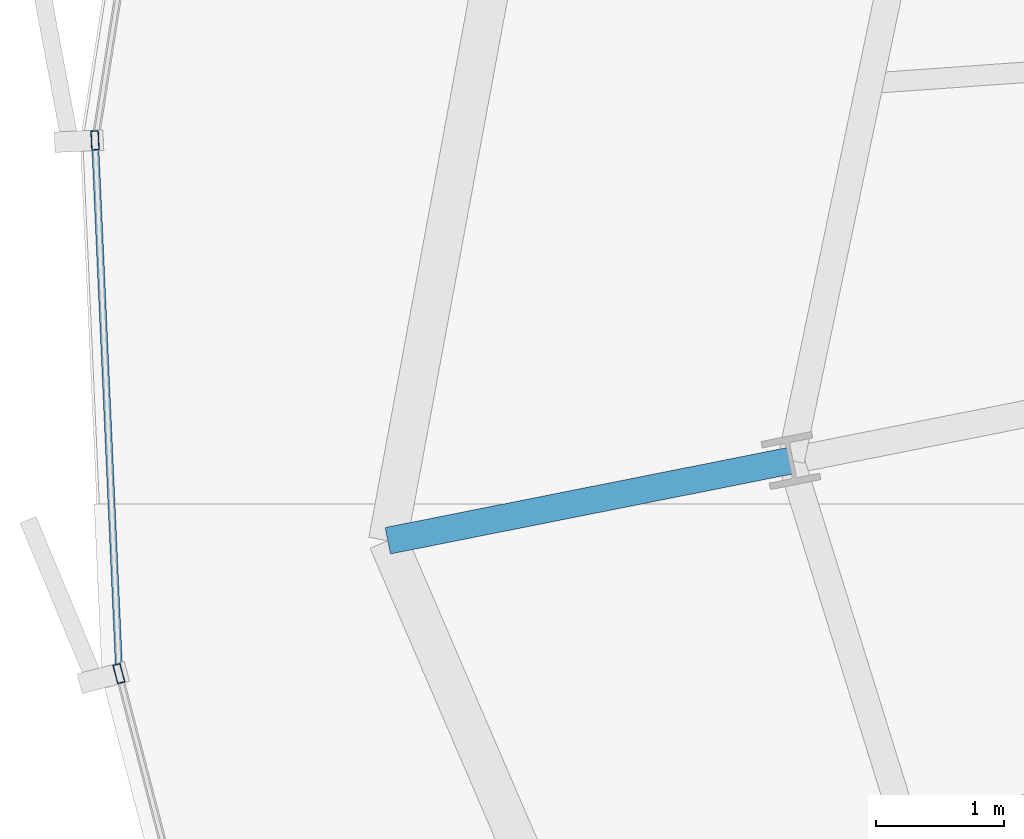
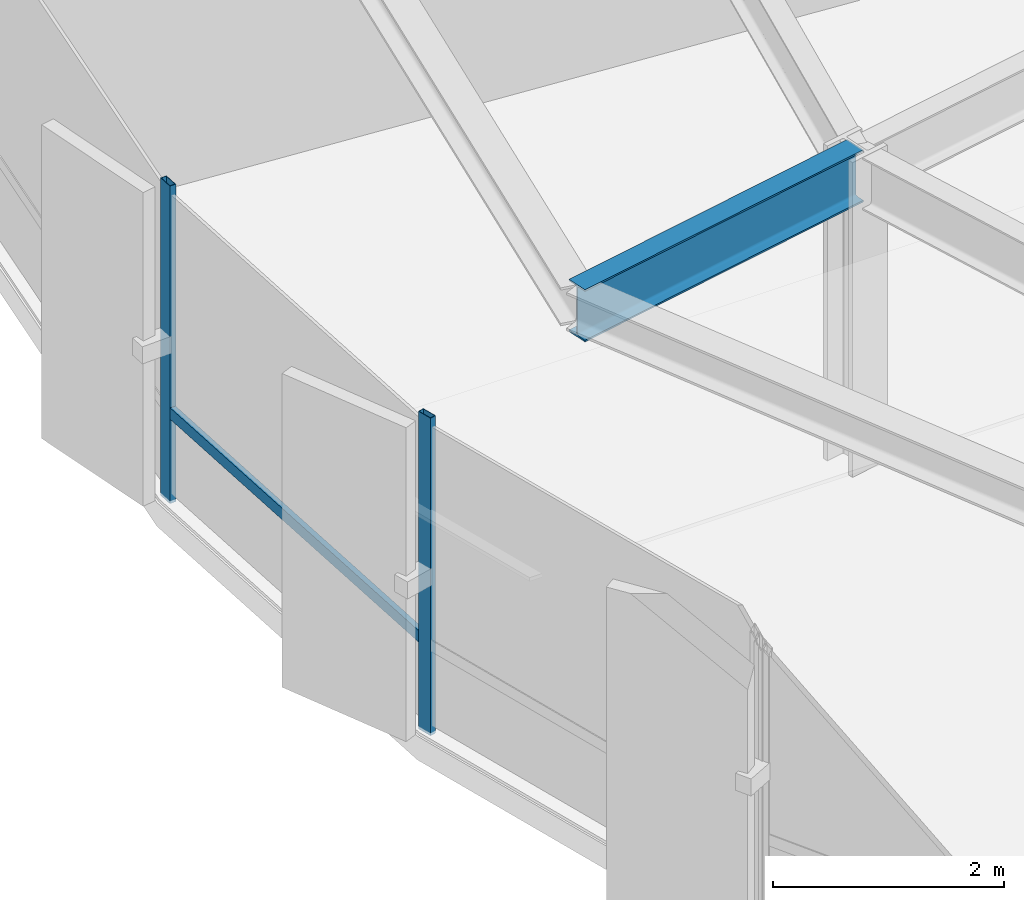
# One storey, part 8 of 33: 3 members, 1 beam, 1 element without a shape of its own.
"""IFC4 building model written with IfcOpenShell, lengths in metres."""

from ifc_helpers import new_model, si_unit, direction, frame, origin, origin_2d, place, context, subcontext, project, spatial, hollow_rectangle, i_section, extrude, source, transform, mapped, material, layer, layer_set, material_profile, profile_set, type_object, element, aggregate, save


model = new_model("IFC4")

# Units and contexts
model_context = context("Model", 3, precision=1e-05, world=origin(), true_north=direction((0.0, 1.0)))
body_context = subcontext(model_context, "Body", "Model", "MODEL_VIEW")
ifc_project = project(units=[si_unit("LENGTHUNIT", "METRE"), si_unit("AREAUNIT", "SQUARE_METRE"), si_unit("VOLUMEUNIT", "CUBIC_METRE"), si_unit("PLANEANGLEUNIT", "RADIAN"), si_unit("MASSUNIT", "GRAM", prefix="KILO"), si_unit("THERMODYNAMICTEMPERATUREUNIT", "KELVIN")], contexts=[model_context])

# Site, building, storey
site_placement = place(None, origin())
site = spatial("IfcSite", under=ifc_project, at=site_placement, CompositionType="ELEMENT")
building_placement = place(site_placement, origin())
building = spatial("IfcBuilding", under=site, at=building_placement, Name="Kethvar Cultural Tower", CompositionType="ELEMENT")
storey_placement = place(building_placement, frame((0.0, 0.0, 118.0)))
storey = spatial("IfcBuildingStorey", under=building, at=storey_placement, Name="L29", CompositionType="ELEMENT", Elevation=118.0)

# Beam
ifc_material_1 = material(Name="Steel S355J2", Category="steel")
ifc_material_profile_1 = material_profile(ifc_material_1, i_section(OverallWidth=0.2099609375, OverallDepth=0.550048828125, WebThickness=0.010986328125, FlangeThickness=0.01708984375, FilletRadius=0.02392578125, at=origin_2d()), Name="Steel S355J2 — IPE550")
ifc_profile_set_1 = profile_set([ifc_material_profile_1], Name="Steel S355J2 — IPE550")
beam_type = type_object("IfcBeamType", Name="BM-IPE550", PredefinedType="BEAM", material=ifc_profile_set_1)
shared_shape_1 = source(origin(), body_context, "Body", "SweptSolid", [
    extrude(i_section(OverallWidth=0.2099609375, OverallDepth=0.550048828125, WebThickness=0.010986328125, FlangeThickness=0.01708984375, FilletRadius=0.02392578125, at=origin_2d()), origin(), (0.0, 0.0, 1.0), 3.199951171875),
])
beam_placement = place(storey_placement, frame((24.185302734375, 23.3017578125, 3.072998046875), z_axis=(-0.980785550224, -0.195088965533, 0.0), x_axis=(0.195088965533, -0.980785550224, 0.0)))
element("IfcBeam", 1, at=beam_placement, inside=storey, type_object=beam_type, Name="L29 Perimeter Cantilever Beam RC-09", PredefinedType="BEAM", context=body_context, shape_type="MappedRepresentation", body=[
    mapped(shared_shape_1, transform((0.0, 0.0, 0.0), scale=1.0)),
])

# Curtain wall, members
ifc_material_2 = material(Name="Aluminium 6063-T6", Category="aluminium")
ifc_layer = layer(ifc_material_2, 0.179931640625, Name="Aluminium 6063-T6", Category="aluminium")
ifc_layer_set = layer_set([ifc_layer], Name="Aluminium 6063-T6 (180 mm)")
curtain_wall_type = type_object("IfcCurtainWallType", Name="CW-SYS-03-Z2", PredefinedType="NOTDEFINED", material=ifc_layer_set)
curtain_wall_placement = place(storey_placement, origin())
curtain_wall = element("IfcCurtainWall", 2, at=curtain_wall_placement, inside=storey, type_object=curtain_wall_type, Name="L29 Curtain Wall Run 03", PredefinedType="NOTDEFINED")
ifc_material_profile_2 = material_profile(ifc_material_2, hollow_rectangle(XDim=0.06005859375, YDim=0.14990234375, WallThickness=0.0048828125, at=origin_2d()), Name="Aluminium 6063-T6 — RHS150x60x5")
ifc_profile_set_2 = profile_set([ifc_material_profile_2], Name="Aluminium 6063-T6 — RHS150x60x5")
member_type_1 = type_object("IfcMemberType", Name="CW-SYS-03-Z2-MUL", PredefinedType="MULLION", material=ifc_profile_set_2)
shared_shape_2 = source(origin(), body_context, "Body", "SweptSolid", [
    extrude(hollow_rectangle(XDim=0.06005859375, YDim=0.14990234375, WallThickness=0.0048828125, at=origin_2d()), origin(), (0.0, 0.0, 1.0), 3.35009765625),
])
member_1_placement = place(storey_placement, frame((18.76708984375, 25.794189453125, 0.0), z_axis=(0.0, 0.0, 1.0), x_axis=(0.998971361372, 0.045345552797, 0.0)))
member_1 = element("IfcMember", 3, at=member_1_placement, type_object=member_type_1, Name="CW-L29-R03 Mullion 5", PredefinedType="MULLION", context=body_context, shape_type="MappedRepresentation", body=[
    mapped(shared_shape_2, transform((0.0, 0.0, 0.0), scale=1.0)),
])
member_2_placement = place(storey_placement, frame((18.952880859375, 21.6435546875, 0.0), z_axis=(0.0, 0.0, 1.0), x_axis=(0.967669563581, 0.252221362534, 0.0)))
member_2 = element("IfcMember", 4, at=member_2_placement, type_object=member_type_1, Name="CW-L29-R03 Mullion 6", PredefinedType="MULLION", context=body_context, shape_type="MappedRepresentation", body=[
    mapped(shared_shape_2, transform((0.0, 0.0, 0.0), scale=1.0)),
])
ifc_material_profile_3 = material_profile(ifc_material_2, hollow_rectangle(XDim=0.054931640625, YDim=0.1201171875, WallThickness=0.00390625, at=origin_2d()), Name="Aluminium 6063-T6 — RHS120x55x4")
ifc_profile_set_3 = profile_set([ifc_material_profile_3], Name="Aluminium 6063-T6 — RHS120x55x4")
member_type_2 = type_object("IfcMemberType", Name="CW-SYS-03-Z2-TRN", PredefinedType="USERDEFINED", material=ifc_profile_set_3)
shared_shape_3 = source(origin(), body_context, "Body", "SweptSolid", [
    extrude(hollow_rectangle(XDim=0.054931640625, YDim=0.1201171875, WallThickness=0.00390625, at=origin_2d()), origin(), (0.0, 0.0, 1.0), 4.09228515625),
])
member_3_placement = place(storey_placement, frame((18.76904296875, 25.751220703125, 0.949951171875), z_axis=(0.045340007521, -0.998971613069, 0.0), x_axis=(0.998971613069, 0.045340007521, 0.0)))
member_3 = element("IfcMember", 5, at=member_3_placement, type_object=member_type_2, Name="CW-L29-R03 Transom 5", ObjectType="TRANSOM", PredefinedType="USERDEFINED", context=body_context, shape_type="MappedRepresentation", body=[
    mapped(shared_shape_3, transform((0.0, 0.0, 0.0), scale=1.0)),
])
aggregate(curtain_wall, [member_1, member_2, member_3])

save(model, "model.ifc")
